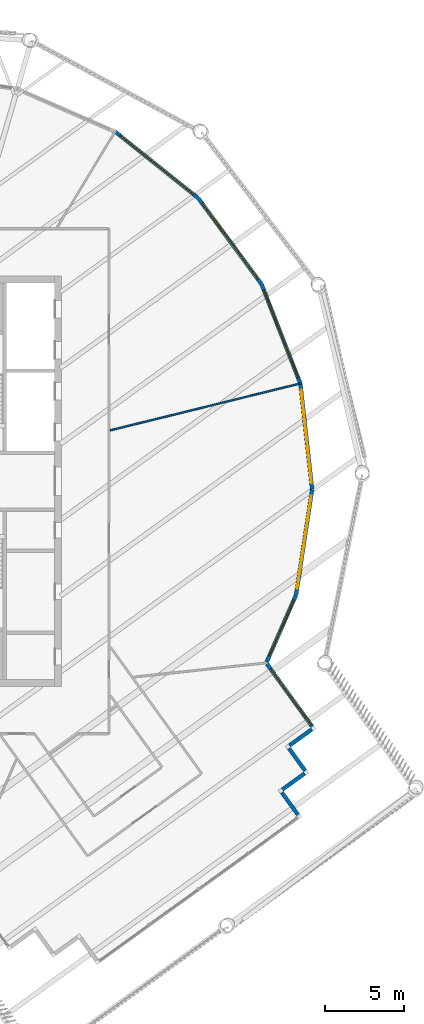
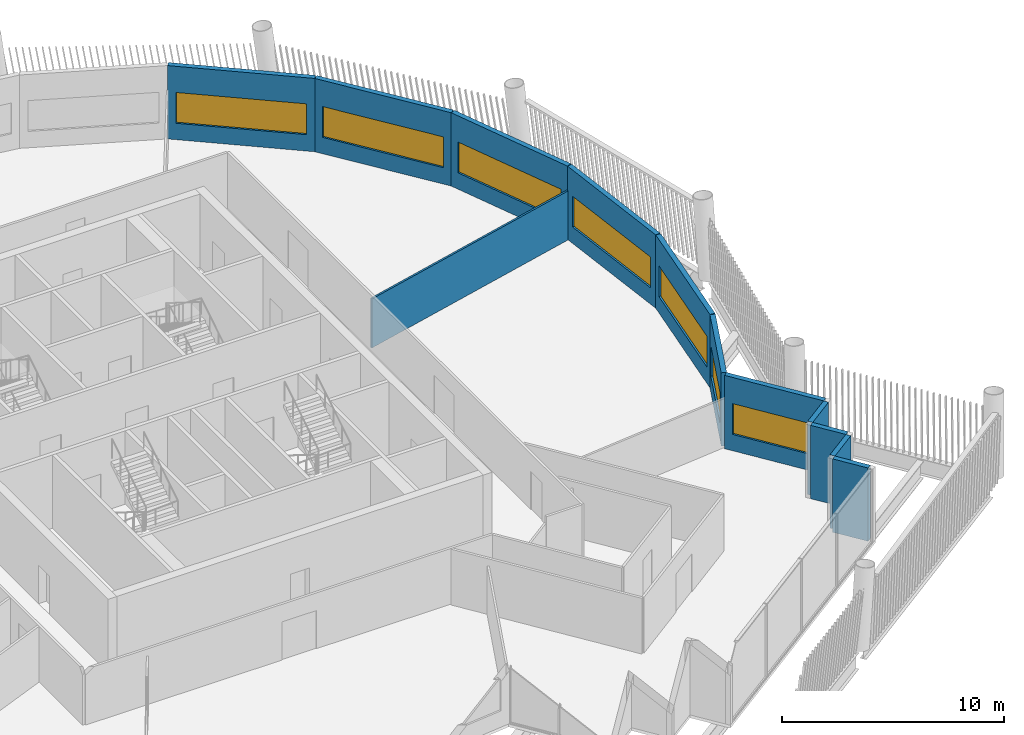
# One storey, part 19 of 27: 12 walls, 7 windows, 7 openings.
"""IFC4 building model written with IfcOpenShell, lengths in metres."""

import ifcopenshell
import ifcopenshell.guid

model = None  # the IFC model being written
_history = None  # IfcOwnerHistory: only IFC2X3 demands one
_inside = {}  # id of a spatial element -> (the spatial element, [elements in it])
_under = {}  # id of a project, library or spatial element -> (it, [spatial elements below it])
_declared = {}  # id of a project -> (the project, [libraries it declares])
_typed = {}  # id of a type object -> (the type object, [elements of that type])
_made_of = {}  # id of a material, layer set ... -> (it, [elements and type objects made of it])


def new_model(schema):
    """Start an empty IFC model of exactly this schema.

    Asked for "IFC4X3", IfcOpenShell would pick the latest addendum, in which some entities
    have other attributes; the version numbers below select the first issue.
    IFC2X3 requires an IfcOwnerHistory on every rooted entity: one is made here for all.
    """
    global model, _history
    if schema == "IFC4X3":
        model = ifcopenshell.file(schema_version=(4, 3, 0, 0))
    else:
        model = ifcopenshell.file(schema=schema)
    _inside.clear()
    _under.clear()
    _declared.clear()
    _typed.clear()
    _made_of.clear()
    _history = None
    if model.schema == "IFC2X3":
        org = make("IfcOrganization", Name="unknown")
        user = make(
            "IfcPersonAndOrganization",
            ThePerson=make("IfcPerson", FamilyName="unknown"),
            TheOrganization=org,
        )
        app = make(
            "IfcApplication",
            ApplicationDeveloper=org,
            Version="unknown",
            ApplicationFullName="unknown",
            ApplicationIdentifier="unknown",
        )
        _history = make(
            "IfcOwnerHistory",
            OwningUser=user,
            OwningApplication=app,
            ChangeAction="ADDED",
            CreationDate=0,
        )
    return model


def make(cls, **values):
    """One entity of the class cls with the attributes given. An attribute that is None is left unset."""
    return model.create_entity(
        cls, **{name: value for name, value in values.items() if value is not None}
    )


def rooted(cls, **values):
    """An entity with a GlobalId (a new one), such as an element, a storey or a relation."""
    return make(cls, GlobalId=ifcopenshell.guid.new(), OwnerHistory=_history, **values)


def si_unit(unit_type, name, prefix=None):
    """IfcSIUnit, for example si_unit("LENGTHUNIT", "METRE", prefix="MILLI")."""
    return make("IfcSIUnit", UnitType=unit_type, Prefix=prefix, Name=name)


def assignment(units):
    """IfcUnitAssignment: the units of a project."""
    return None if units is None else make("IfcUnitAssignment", Units=units)


def point(xyz):
    """IfcCartesianPoint."""
    return None if xyz is None else make("IfcCartesianPoint", Coordinates=xyz)


def direction(xyz):
    """IfcDirection."""
    return None if xyz is None else make("IfcDirection", DirectionRatios=xyz)


def frame(location, z_axis=None, x_axis=None):
    """IfcAxis2Placement3D, a coordinate frame: its origin and axes. An axis left out is left unset."""
    return make(
        "IfcAxis2Placement3D",
        Location=point(location),
        Axis=direction(z_axis),
        RefDirection=direction(x_axis),
    )


def frame_2d(location, x_axis=None):
    """IfcAxis2Placement2D, a coordinate frame in the plane: its origin and x axis."""
    return make(
        "IfcAxis2Placement2D", Location=point(location), RefDirection=direction(x_axis)
    )


def origin():
    """The frame at (0, 0, 0) with its axes left unset."""
    return frame((0.0, 0.0, 0.0))


def place(relative_to, where):
    """IfcLocalPlacement: puts the frame where relative to a parent placement (None: the world)."""
    return make(
        "IfcLocalPlacement", PlacementRelTo=relative_to, RelativePlacement=where
    )


def context(
    kind, dimensions, precision=None, world=None, true_north=None, identifier=None
):
    """IfcGeometricRepresentationContext, for example the 3D "Model" context."""
    return make(
        "IfcGeometricRepresentationContext",
        ContextIdentifier=identifier,
        ContextType=kind,
        CoordinateSpaceDimension=dimensions,
        Precision=precision,
        WorldCoordinateSystem=world,
        TrueNorth=true_north,
    )


def subcontext(parent, identifier, kind, view, scale=None):
    """IfcGeometricRepresentationSubContext, for example "Body" below "Model"."""
    return make(
        "IfcGeometricRepresentationSubContext",
        ContextIdentifier=identifier,
        ContextType=kind,
        ParentContext=parent,
        TargetScale=scale,
        TargetView=view,
    )


def project(units=None, contexts=None):
    """IfcProject with its units and contexts."""
    return rooted(
        "IfcProject",
        Name="project",
        RepresentationContexts=contexts,
        UnitsInContext=assignment(units),
    )


def spatial(cls, under=None, at=None, **own):
    """A site, building, storey or space (cls), placed at a placement, below another one or the project."""
    s = rooted(cls, ObjectPlacement=at, **own)
    if under is not None:
        _under.setdefault(under.id(), (under, []))[1].append(s)
    return s


def profile(cls, at=None, kind="AREA", **sizes):
    """A parametric profile (cls). Its sizes go by their IFC names, for example OverallWidth=200.0."""
    return make(cls, ProfileType=kind, Position=at, **sizes)


def rectangle(**sizes):
    """IfcRectangleProfileDef."""
    return profile("IfcRectangleProfileDef", **sizes)


def extrude(swept, where, along, depth):
    """IfcExtrudedAreaSolid: the profile swept, set in the frame where, extruded along a direction by depth."""
    return make(
        "IfcExtrudedAreaSolid",
        SweptArea=swept,
        Position=where,
        ExtrudedDirection=direction(along),
        Depth=depth,
    )


def shape(context_of_items, identifier, shape_type, items):
    """IfcShapeRepresentation: the items that make up one representation, for example the "Body"."""
    return make(
        "IfcShapeRepresentation",
        ContextOfItems=context_of_items,
        RepresentationIdentifier=identifier,
        RepresentationType=shape_type,
        Items=items,
    )


def material(Name=None, Category=None):
    """IfcMaterial."""
    return make("IfcMaterial", Name=Name, Category=Category)


def layer(
    of_material, thickness, ventilated=None, Name=None, Category=None, Priority=None
):
    """IfcMaterialLayer: one layer of a wall or slab, of a material (None: an air gap)."""
    return make(
        "IfcMaterialLayer",
        Material=of_material,
        LayerThickness=thickness,
        IsVentilated=ventilated,
        Name=Name,
        Category=Category,
        Priority=Priority,
    )


def layer_set(layers, Name=None):
    """IfcMaterialLayerSet."""
    return make("IfcMaterialLayerSet", MaterialLayers=layers, LayerSetName=Name)


def made_of(thing, what):
    """Note that an element or type object is made of a material, layer set ...; save() writes the relation."""
    if what is not None:
        _made_of.setdefault(what.id(), (what, []))[1].append(thing)
    return thing


def type_object(cls, material=None, **own):
    """A type object (cls), such as IfcWallType, which elements share."""
    return made_of(rooted(cls, **own), material)


def element(
    cls,
    number,
    at=None,
    inside=None,
    cuts=None,
    type_object=None,
    material=None,
    context=None,
    identifier="Body",
    shape_type=None,
    held_by="IfcProductDefinitionShape",
    body=None,
    shapes=None,
    **own,
):
    """One element of the class cls, such as IfcWall. Its Tag is "e" and its number.

    at: its placement. inside: the storey or other place that contains it. cuts: it is an
    opening in that element (IfcRelVoidsElement). A single representation is given by context,
    identifier, shape_type and body (its items); several are given by shapes. held_by: the class
    of the entity that holds the representations. save() writes the other relations.
    """
    e = rooted(cls, Tag="e%d" % number, ObjectPlacement=at, **own)
    if body is not None:
        shapes = [shape(context, identifier, shape_type, body)]
    if shapes is not None:
        e.Representation = make(held_by, Representations=shapes)
    if inside is not None:
        _inside.setdefault(inside.id(), (inside, []))[1].append(e)
    if cuts is not None:
        rooted(
            "IfcRelVoidsElement", RelatingBuildingElement=cuts, RelatedOpeningElement=e
        )
    if type_object is not None:
        _typed.setdefault(type_object.id(), (type_object, []))[1].append(e)
    return made_of(e, material)


def fill(opening, filler):
    """IfcRelFillsElement: the door or window that sits in an opening."""
    return rooted(
        "IfcRelFillsElement",
        RelatingOpeningElement=opening,
        RelatedBuildingElement=filler,
    )


def aggregate(whole, parts):
    """IfcRelAggregates: a whole, such as a stair, and the parts it consists of."""
    return rooted("IfcRelAggregates", RelatingObject=whole, RelatedObjects=parts)


def save(model, path):
    """Write the relations noted so far, then the file.

    IfcRelAggregates (storeys below a building ...), IfcRelContainedInSpatialStructure (elements
    in a storey), IfcRelDefinesByType, IfcRelAssociatesMaterial and IfcRelDeclares: one each for
    every whole, place, type object, material and project.
    """
    for whole, parts in _under.values():
        aggregate(whole, parts)
    for where, things in _inside.values():
        rooted(
            "IfcRelContainedInSpatialStructure",
            RelatedElements=things,
            RelatingStructure=where,
        )
    for kind, things in _typed.values():
        rooted("IfcRelDefinesByType", RelatedObjects=things, RelatingType=kind)
    for what, things in _made_of.values():
        rooted("IfcRelAssociatesMaterial", RelatedObjects=things, RelatingMaterial=what)
    for by, libraries in _declared.values():
        rooted("IfcRelDeclares", RelatingContext=by, RelatedDefinitions=libraries)
    model.write(path)


model = new_model("IFC4")

# Units and contexts
model_context = context("Model", 3, precision=1e-05, world=origin(), true_north=direction((0.0, 1.0)))
body_context = subcontext(model_context, "Body", "Model", "MODEL_VIEW")
ifc_project = project(units=[si_unit("LENGTHUNIT", "METRE"), si_unit("AREAUNIT", "SQUARE_METRE"), si_unit("VOLUMEUNIT", "CUBIC_METRE"), si_unit("PLANEANGLEUNIT", "RADIAN"), si_unit("MASSUNIT", "GRAM", prefix="KILO")], contexts=[model_context])

# Site, building, storey
site_placement = place(None, origin())
site = spatial("IfcSite", under=ifc_project, at=site_placement, CompositionType="ELEMENT")
building_placement = place(site_placement, origin())
building = spatial("IfcBuilding", under=site, at=building_placement, Name="Tarsis Ring Headquarters", CompositionType="ELEMENT")
storey_placement = place(building_placement, frame((0.0, 0.0, 373.39990234375)))
storey = spatial("IfcBuildingStorey", under=building, at=storey_placement, Name="L88", CompositionType="ELEMENT", Elevation=373.39990234375)

# Walls
ifc_material_1 = material(Name="Gypsum board on steel studs", Category="steel")
ifc_layer_1 = layer(ifc_material_1, 0.10009765625)
ifc_layer_set_1 = layer_set([ifc_layer_1], Name="FL partition 100 unrated")
wall_type_1 = type_object("IfcWallType", Name="FL partition 100 unrated", PredefinedType="PARTITIONING", material=ifc_layer_set_1)
wall_1_placement = place(storey_placement, frame((13.068115234375, 3.219482421875, 0.0), z_axis=(0.0, 0.0, 1.0), x_axis=(0.970967046513, 0.239213282629, 0.0)))
element("IfcWall", 1, at=wall_1_placement, inside=storey, type_object=wall_type_1, Name="Partition PW3", PredefinedType="PARTITIONING", context=body_context, shape_type="SweptSolid", body=[
    extrude(rectangle(XDim=12.489013671875, YDim=0.10009765625, at=frame_2d((6.24462890625, 0.0))), origin(), (0.0, 0.0, 1.0), 2.7001953125),
])
ifc_material_2 = material(Name="Terracotta clad insulated panel wall", Category="masonry")
ifc_layer_2 = layer(ifc_material_2, 0.25)
ifc_layer_set_2 = layer_set([ifc_layer_2], Name="Facade wall terracotta panel 250")
wall_type_2 = type_object("IfcWallType", Name="Facade wall terracotta panel 250", PredefinedType="STANDARD", material=ifc_layer_set_2)
wall_2_placement = place(storey_placement, frame((24.974365234375, -21.127197265625, 0.0), z_axis=(0.0, 0.0, 1.0), x_axis=(-0.58557205639, 0.810620359216, 0.0)))
element("IfcWall", 2, at=wall_2_placement, inside=storey, type_object=wall_type_2, Name="External wall L88-12", PredefinedType="STANDARD", context=body_context, shape_type="SweptSolid", body=[
    extrude(rectangle(XDim=1.749755859375, YDim=0.25, at=frame_2d((0.875, 0.0))), origin(), (0.0, 0.0, 1.0), 4.0400390625),
])
for number, where, z_axis, x_axis, name in (
    (3, (23.977783203125, -19.5341796875, 0.0), (0.0, 0.0, 1.0), (0.8106681923, 0.585505834294, 0.0), "External wall L88-13"),
    (4, (25.424560546875, -18.3349609375, 0.0), (0.0, 0.0, 1.0), (-0.585505834294, 0.8106681923, 0.0), "External wall L88-14"),
    (5, (24.427978515625, -16.74169921875, 0.0), (0.0, 0.0, 1.0), (0.8106681923, 0.585505834294, 0.0), "External wall L88-15"),
):
    element("IfcWall", number, at=place(storey_placement, frame(where, z_axis=z_axis, x_axis=x_axis)), inside=storey, type_object=wall_type_2, Name=name, PredefinedType="STANDARD", context=body_context, shape_type="SweptSolid", body=[
        extrude(rectangle(XDim=1.75, YDim=0.25, at=frame_2d((0.875, 0.0))), origin(), (0.0, 0.0, 1.0), 4.0400390625),
    ])

# Wall, opening, window
wall_3_placement = place(storey_placement, frame((25.874755859375, -15.54248046875, 0.0), z_axis=(0.0, 0.0, 1.0), x_axis=(-0.585541476236, 0.810642448683, 0.0)))
wall_3 = element("IfcWall", 6, at=wall_3_placement, inside=storey, type_object=wall_type_2, Name="External wall L88-16", PredefinedType="STANDARD", context=body_context, shape_type="SweptSolid", body=[
    extrude(rectangle(XDim=4.901123046875, YDim=0.25, at=frame_2d((2.45068359375, 0.0))), origin(), (0.0, 0.0, 1.0), 4.0400390625),
])
opening_1_placement = place(wall_3_placement, frame((0.150634765625, 0.0, 0.89990234375)))
opening_1 = element("IfcOpeningElement", 7, at=opening_1_placement, cuts=wall_3, Name="Opening WN03", PredefinedType="OPENING", context=body_context, shape_type="SweptSolid", body=[
    extrude(rectangle(XDim=4.35009765625, YDim=1.699951171875, at=frame_2d((2.175048828125, 0.85009765625))), frame((0.0, 0.135009765625, 0.0), z_axis=(0.0, -1.0, 0.0), x_axis=(1.0, 0.0, 0.0)), (0.0, 0.0, 1.0), 0.27001953125),
])
ifc_material_3 = material(Name="Aluminium framed double glazing", Category="aluminium")
window_type_1 = type_object("IfcWindowType", Name="Facade window 4350 x 1700", PartitioningType="SINGLE_PANEL", PredefinedType="WINDOW", material=ifc_material_3)
window_1_placement = place(opening_1_placement, origin())
window_1 = element("IfcWindow", 8, at=window_1_placement, inside=storey, type_object=window_type_1, Name="Window L88-16.1", OverallHeight=1.699951171875, OverallWidth=4.35009765625, PartitioningType="SINGLE_PANEL", PredefinedType="WINDOW", context=body_context, shape_type="SweptSolid", body=[
    extrude(rectangle(XDim=4.35009765625, YDim=1.699951171875, at=frame_2d((2.175048828125, 0.85009765625))), frame((0.0, 0.030029296875, 0.0), z_axis=(0.0, -1.0, 0.0), x_axis=(1.0, 0.0, 0.0)), (0.0, 0.0, 1.0), 0.06005859375),
])
fill(opening_1, window_1)

wall_4_placement = place(storey_placement, frame((22.991943359375, -11.446044921875, 0.0), z_axis=(0.0, 0.0, 1.0), x_axis=(0.401276405007, 0.915957011428, 0.0)))
wall_4 = element("IfcWall", 9, at=wall_4_placement, inside=storey, type_object=wall_type_2, Name="External wall L88-17", PredefinedType="STANDARD", context=body_context, shape_type="SweptSolid", body=[
    extrude(rectangle(XDim=4.617919921875, YDim=0.25, at=frame_2d((2.30908203125, 0.0))), origin(), (0.0, 0.0, 1.0), 4.0400390625),
])
opening_2_placement = place(wall_4_placement, frame((0.400390625, 0.0, 0.89990234375)))
opening_2 = element("IfcOpeningElement", 10, at=opening_2_placement, cuts=wall_4, Name="Opening WN02", PredefinedType="OPENING", context=body_context, shape_type="SweptSolid", body=[
    extrude(rectangle(XDim=3.85009765625, YDim=1.699951171875, at=frame_2d((1.925048828125, 0.85009765625))), frame((0.0, 0.135009765625, 0.0), z_axis=(0.0, -1.0, 0.0), x_axis=(1.0, 0.0, 0.0)), (0.0, 0.0, 1.0), 0.27001953125),
])
window_type_2 = type_object("IfcWindowType", Name="Facade window 3850 x 1700", PartitioningType="SINGLE_PANEL", PredefinedType="WINDOW", material=ifc_material_3)
window_2_placement = place(opening_2_placement, origin())
window_2 = element("IfcWindow", 11, at=window_2_placement, inside=storey, type_object=window_type_2, Name="Window L88-17.1", OverallHeight=1.699951171875, OverallWidth=3.85009765625, PartitioningType="SINGLE_PANEL", PredefinedType="WINDOW", context=body_context, shape_type="SweptSolid", body=[
    extrude(rectangle(XDim=3.85009765625, YDim=1.699951171875, at=frame_2d((1.925048828125, 0.85009765625))), frame((0.0, 0.030029296875, 0.0), z_axis=(0.0, -1.0, 0.0), x_axis=(1.0, 0.0, 0.0)), (0.0, 0.0, 1.0), 0.06005859375),
])
fill(opening_2, window_2)

wall_5_placement = place(storey_placement, frame((24.85400390625, -7.18505859375, 0.0), z_axis=(0.0, 0.0, 1.0), x_axis=(0.150588623158, 0.988596513536, 0.0)))
wall_5 = element("IfcWall", 12, at=wall_5_placement, inside=storey, type_object=wall_type_2, Name="External wall L88-18", PredefinedType="STANDARD", context=body_context, shape_type="SweptSolid", body=[
    extrude(rectangle(XDim=6.7216796875, YDim=0.25, at=frame_2d((3.36083984375, 0.0))), origin(), (0.0, 0.0, 1.0), 4.0400390625),
])
opening_3_placement = place(wall_5_placement, frame((0.3857421875, 0.0, 0.89990234375)))
opening_3 = element("IfcOpeningElement", 13, at=opening_3_placement, cuts=wall_5, Name="Opening WN07", PredefinedType="OPENING", context=body_context, shape_type="SweptSolid", body=[
    extrude(rectangle(XDim=5.949951171875, YDim=1.699951171875, at=frame_2d((2.97509765625, 0.85009765625))), frame((0.0, 0.135009765625, 0.0), z_axis=(0.0, -1.0, 0.0), x_axis=(1.0, 0.0, 0.0)), (0.0, 0.0, 1.0), 0.27001953125),
])
window_type_3 = type_object("IfcWindowType", Name="Facade window 5950 x 1700", PartitioningType="SINGLE_PANEL", PredefinedType="WINDOW", material=ifc_material_3)
window_3_placement = place(opening_3_placement, origin())
window_3 = element("IfcWindow", 14, at=window_3_placement, inside=storey, type_object=window_type_3, Name="Window L88-18.1", OverallHeight=1.699951171875, OverallWidth=5.949951171875, PartitioningType="SINGLE_PANEL", PredefinedType="WINDOW", context=body_context, shape_type="SweptSolid", body=[
    extrude(rectangle(XDim=5.949951171875, YDim=1.699951171875, at=frame_2d((2.97509765625, 0.85009765625))), frame((0.0, 0.030029296875, 0.0), z_axis=(0.0, -1.0, 0.0), x_axis=(1.0, 0.0, 0.0)), (0.0, 0.0, 1.0), 0.06005859375),
])
fill(opening_3, window_3)

wall_6_placement = place(storey_placement, frame((25.86669921875, -0.507568359375, 0.0), z_axis=(0.0, 0.0, 1.0), x_axis=(-0.110415580293, 0.993885506298, 0.0)))
wall_6 = element("IfcWall", 15, at=wall_6_placement, inside=storey, type_object=wall_type_2, Name="External wall L88-19", PredefinedType="STANDARD", context=body_context, shape_type="SweptSolid", body=[
    extrude(rectangle(XDim=6.7216796875, YDim=0.25, at=frame_2d((3.36083984375, 0.0))), origin(), (0.0, 0.0, 1.0), 4.0400390625),
])
opening_4_placement = place(wall_6_placement, frame((0.3857421875, 0.0, 0.89990234375)))
opening_4 = element("IfcOpeningElement", 16, at=opening_4_placement, cuts=wall_6, Name="Opening WN07", PredefinedType="OPENING", context=body_context, shape_type="SweptSolid", body=[
    extrude(rectangle(XDim=5.949951171875, YDim=1.699951171875, at=frame_2d((2.97509765625, 0.85009765625))), frame((0.0, 0.135009765625, 0.0), z_axis=(0.0, -1.0, 0.0), x_axis=(1.0, 0.0, 0.0)), (0.0, 0.0, 1.0), 0.27001953125),
])
window_4_placement = place(opening_4_placement, origin())
window_4 = element("IfcWindow", 17, at=window_4_placement, inside=storey, type_object=window_type_3, Name="Window L88-19.1", OverallHeight=1.699951171875, OverallWidth=5.949951171875, PartitioningType="SINGLE_PANEL", PredefinedType="WINDOW", context=body_context, shape_type="SweptSolid", body=[
    extrude(rectangle(XDim=5.949951171875, YDim=1.699951171875, at=frame_2d((2.97509765625, 0.85009765625))), frame((0.0, 0.030029296875, 0.0), z_axis=(0.0, -1.0, 0.0), x_axis=(1.0, 0.0, 0.0)), (0.0, 0.0, 1.0), 0.06005859375),
])
fill(opening_4, window_4)

wall_7_placement = place(storey_placement, frame((25.11669921875, 6.20458984375, 0.0), z_axis=(0.0, 0.0, 1.0), x_axis=(-0.363907644163, 0.931435036124, 0.0)))
wall_7 = element("IfcWall", 18, at=wall_7_placement, inside=storey, type_object=wall_type_2, Name="External wall L88-20", PredefinedType="STANDARD", context=body_context, shape_type="SweptSolid", body=[
    extrude(rectangle(XDim=6.7216796875, YDim=0.25, at=frame_2d((3.36083984375, 0.0))), origin(), (0.0, 0.0, 1.0), 4.0400390625),
])
opening_5_placement = place(wall_7_placement, frame((0.3857421875, 0.0, 0.89990234375)))
opening_5 = element("IfcOpeningElement", 19, at=opening_5_placement, cuts=wall_7, Name="Opening WN07", PredefinedType="OPENING", context=body_context, shape_type="SweptSolid", body=[
    extrude(rectangle(XDim=5.949951171875, YDim=1.699951171875, at=frame_2d((2.97509765625, 0.85009765625))), frame((0.0, 0.135009765625, 0.0), z_axis=(0.0, -1.0, 0.0), x_axis=(1.0, 0.0, 0.0)), (0.0, 0.0, 1.0), 0.27001953125),
])
window_5_placement = place(opening_5_placement, origin())
window_5 = element("IfcWindow", 20, at=window_5_placement, inside=storey, type_object=window_type_3, Name="Window L88-20.1", OverallHeight=1.699951171875, OverallWidth=5.949951171875, PartitioningType="SINGLE_PANEL", PredefinedType="WINDOW", context=body_context, shape_type="SweptSolid", body=[
    extrude(rectangle(XDim=5.949951171875, YDim=1.699951171875, at=frame_2d((2.97509765625, 0.85009765625))), frame((0.0, 0.030029296875, 0.0), z_axis=(0.0, -1.0, 0.0), x_axis=(1.0, 0.0, 0.0)), (0.0, 0.0, 1.0), 0.06005859375),
])
fill(opening_5, window_5)

wall_8_placement = place(storey_placement, frame((22.655029296875, 12.493896484375, 0.0), z_axis=(0.0, 0.0, 1.0), x_axis=(-0.592564482587, 0.805523018899, 0.0)))
wall_8 = element("IfcWall", 21, at=wall_8_placement, inside=storey, type_object=wall_type_2, Name="External wall L88-21", PredefinedType="STANDARD", context=body_context, shape_type="SweptSolid", body=[
    extrude(rectangle(XDim=6.721435546875, YDim=0.25, at=frame_2d((3.36083984375, 0.0))), origin(), (0.0, 0.0, 1.0), 4.0400390625),
])
opening_6_placement = place(wall_8_placement, frame((0.3857421875, 0.0, 0.89990234375)))
opening_6 = element("IfcOpeningElement", 22, at=opening_6_placement, cuts=wall_8, Name="Opening WN07", PredefinedType="OPENING", context=body_context, shape_type="SweptSolid", body=[
    extrude(rectangle(XDim=5.949951171875, YDim=1.699951171875, at=frame_2d((2.97509765625, 0.85009765625))), frame((0.0, 0.135009765625, 0.0), z_axis=(0.0, -1.0, 0.0), x_axis=(1.0, 0.0, 0.0)), (0.0, 0.0, 1.0), 0.27001953125),
])
window_6_placement = place(opening_6_placement, origin())
window_6 = element("IfcWindow", 23, at=window_6_placement, inside=storey, type_object=window_type_3, Name="Window L88-21.1", OverallHeight=1.699951171875, OverallWidth=5.949951171875, PartitioningType="SINGLE_PANEL", PredefinedType="WINDOW", context=body_context, shape_type="SweptSolid", body=[
    extrude(rectangle(XDim=5.949951171875, YDim=1.699951171875, at=frame_2d((2.97509765625, 0.85009765625))), frame((0.0, 0.030029296875, 0.0), z_axis=(0.0, -1.0, 0.0), x_axis=(1.0, 0.0, 0.0)), (0.0, 0.0, 1.0), 0.06005859375),
])
fill(opening_6, window_6)

wall_9_placement = place(storey_placement, frame((18.6494140625, 17.931884765625, 0.0), z_axis=(0.0, 0.0, 1.0), x_axis=(-0.780875896844, 0.6246861882, 0.0)))
wall_9 = element("IfcWall", 24, at=wall_9_placement, inside=storey, type_object=wall_type_2, Name="External wall L88-22", PredefinedType="STANDARD", context=body_context, shape_type="SweptSolid", body=[
    extrude(rectangle(XDim=6.721435546875, YDim=0.25, at=frame_2d((3.36083984375, 0.0))), origin(), (0.0, 0.0, 1.0), 4.0400390625),
])
opening_7_placement = place(wall_9_placement, frame((0.3857421875, 0.0, 0.89990234375)))
opening_7 = element("IfcOpeningElement", 25, at=opening_7_placement, cuts=wall_9, Name="Opening WN07", PredefinedType="OPENING", context=body_context, shape_type="SweptSolid", body=[
    extrude(rectangle(XDim=5.949951171875, YDim=1.699951171875, at=frame_2d((2.97509765625, 0.85009765625))), frame((0.0, 0.135009765625, 0.0), z_axis=(0.0, -1.0, 0.0), x_axis=(1.0, 0.0, 0.0)), (0.0, 0.0, 1.0), 0.27001953125),
])
window_7_placement = place(opening_7_placement, origin())
window_7 = element("IfcWindow", 26, at=window_7_placement, inside=storey, type_object=window_type_3, Name="Window L88-22.1", OverallHeight=1.699951171875, OverallWidth=5.949951171875, PartitioningType="SINGLE_PANEL", PredefinedType="WINDOW", context=body_context, shape_type="SweptSolid", body=[
    extrude(rectangle(XDim=5.949951171875, YDim=1.699951171875, at=frame_2d((2.97509765625, 0.85009765625))), frame((0.0, 0.030029296875, 0.0), z_axis=(0.0, -1.0, 0.0), x_axis=(1.0, 0.0, 0.0)), (0.0, 0.0, 1.0), 0.06005859375),
])
fill(opening_7, window_7)

save(model, "model.ifc")
